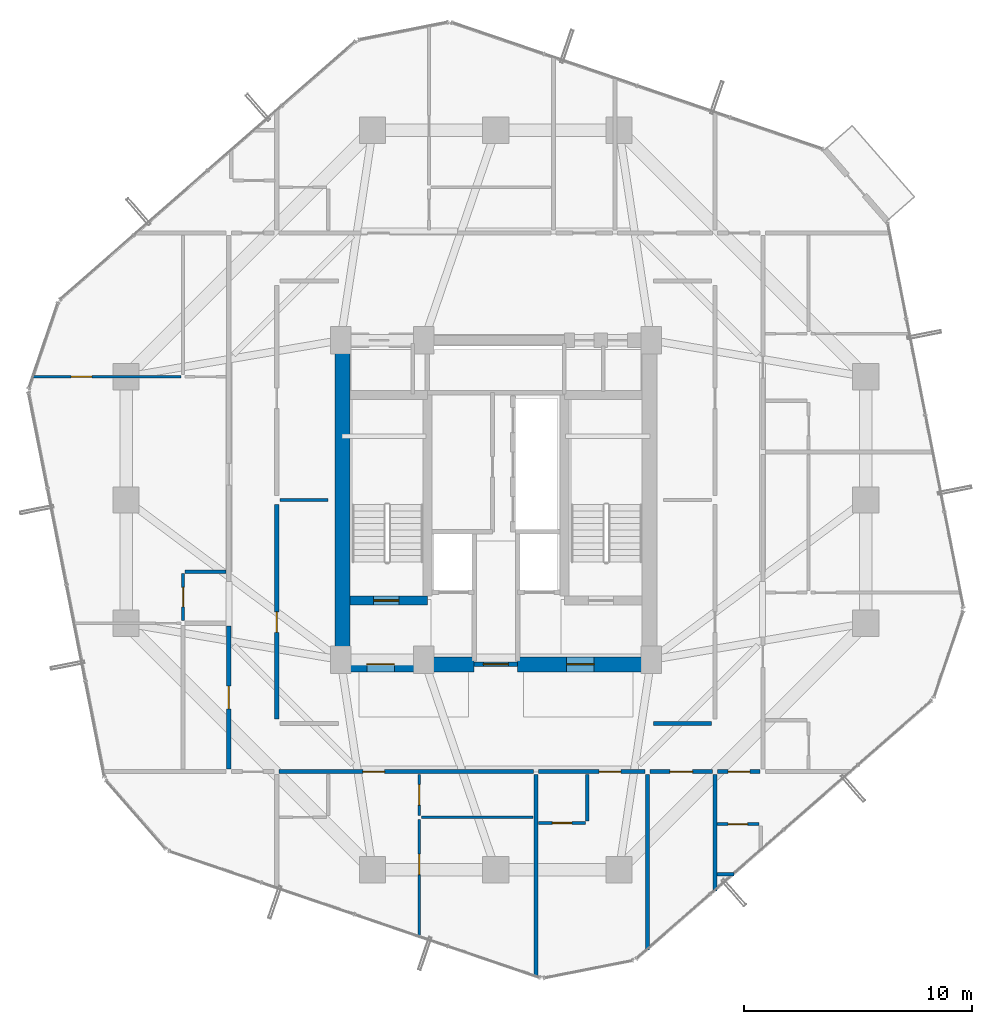
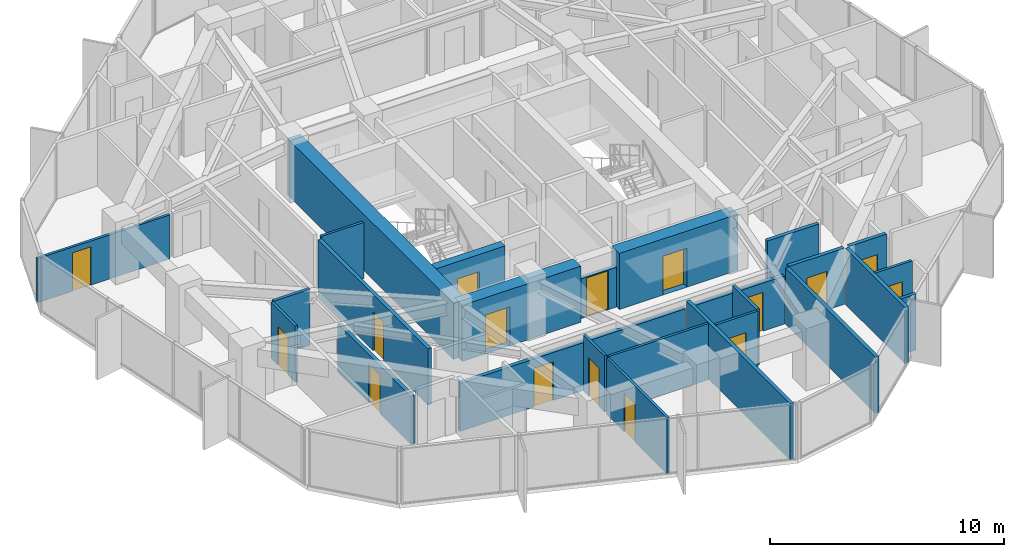
# One storey, part 31 of 36: 26 walls, 16 doors, 16 openings.
"""IFC4 building model written with IfcOpenShell, lengths in metres."""

from ifc_helpers import new_model, si_unit, direction, frame, frame_2d, origin, place, context, subcontext, project, spatial, rectangle, extrude, source, transform, mapped, material, layer, layer_set, type_object, element, fill, save


model = new_model("IFC4")

# Units and contexts
model_context = context("Model", 3, precision=1e-05, world=origin(), true_north=direction((0.0, 1.0)))
body_context = subcontext(model_context, "Body", "Model", "MODEL_VIEW")
ifc_project = project(units=[si_unit("LENGTHUNIT", "METRE"), si_unit("AREAUNIT", "SQUARE_METRE"), si_unit("VOLUMEUNIT", "CUBIC_METRE"), si_unit("PLANEANGLEUNIT", "RADIAN"), si_unit("MASSUNIT", "GRAM", prefix="KILO")], contexts=[model_context])

# Site, building, storey
site_placement = place(None, origin())
site = spatial("IfcSite", under=ifc_project, at=site_placement, CompositionType="ELEMENT")
building_placement = place(site_placement, origin())
building = spatial("IfcBuilding", under=site, at=building_placement, Name="Veraguas Prism Commons", CompositionType="ELEMENT")
storey_placement = place(building_placement, frame((0.0, 0.0, 166.300048828125)))
storey = spatial("IfcBuildingStorey", under=building, at=storey_placement, Name="L47", CompositionType="ELEMENT", Elevation=166.300048828125)

# Wall, opening, door
ifc_material_1 = material(Name="Concrete C50/60", Category="concrete")
ifc_layer_1 = layer(ifc_material_1, 0.39990234375, Name="Clinic and Mid Core Shear Wall RC 400", Category="concrete")
ifc_layer_set_1 = layer_set([ifc_layer_1], Name="Concrete C50/60")
wall_type_1 = type_object("IfcWallType", Name="Clinic and Mid Core Shear Wall RC 400", PredefinedType="SHEAR", material=ifc_layer_set_1)
wall_1_placement = place(storey_placement, frame((17.60009765625, 19.60009765625, 0.0), z_axis=(0.0, 0.0, 1.0), x_axis=(1.0, 0.0, 0.0)))
wall_1 = element("IfcWall", 1, at=wall_1_placement, inside=storey, type_object=wall_type_1, Name="Stair ST-01 South Shear Wall L47", PredefinedType="SHEAR", context=body_context, shape_type="SweptSolid", body=[
    extrude(rectangle(XDim=3.39990234375, YDim=0.39990234375, at=frame_2d((1.699951171875, 0.0))), origin(), (0.0, 0.0, 1.0), 2.929931640625),
])
opening_1_placement = place(wall_1_placement, frame((1.050048828125, 0.0, 0.0)))
opening_1 = element("IfcOpeningElement", 2, at=opening_1_placement, cuts=wall_1, Name="Opening DR-05", PredefinedType="OPENING", context=body_context, shape_type="SweptSolid", body=[
    extrude(rectangle(XDim=1.10009765625, YDim=2.030029296875, at=frame_2d((0.550048828125, 1.01513671875))), frame((0.0, 0.2099609375, 0.0), z_axis=(0.0, -1.0, 0.0), x_axis=(1.0, 0.0, 0.0)), (0.0, 0.0, 1.0), 0.419921875),
])
ifc_material_2 = material(Name="Steel fire-rated door assembly", Category="steel")
door_type_1 = type_object("IfcDoorType", Name="Protected Stair and Refuge Fire Door 1100x2030", OperationType="NOTDEFINED", PredefinedType="DOOR", material=ifc_material_2)
shared_shape_1 = source(origin(), body_context, "Body", "SweptSolid", [
    extrude(rectangle(XDim=1.10009765625, YDim=2.030029296875, at=frame_2d((0.550048828125, 1.01513671875))), frame((0.0, 0.02490234375, 0.0), z_axis=(0.0, -1.0, 0.0), x_axis=(1.0, 0.0, 0.0)), (0.0, 0.0, 1.0), 0.050048828125),
])
door_1_placement = place(opening_1_placement, origin())
door_1 = element("IfcDoor", 3, at=door_1_placement, inside=storey, type_object=door_type_1, Name="Stair ST-01 Enclosure Door L47", OperationType="SINGLE_SWING_RIGHT", OverallHeight=2.030029296875, OverallWidth=1.10009765625, PredefinedType="DOOR", context=body_context, shape_type="MappedRepresentation", body=[
    mapped(shared_shape_1, transform((0.0, 0.0, 0.0), scale=1.0)),
])
fill(opening_1, door_1)

# Wall
ifc_material_3 = material(Name="Concrete C55/67", Category="concrete")
ifc_layer_2 = layer(ifc_material_3, 0.64990234375, Name="Core Outer Shear Wall Mid RC 650", Category="concrete")
ifc_layer_set_2 = layer_set([ifc_layer_2], Name="Concrete C55/67")
wall_type_2 = type_object("IfcWallType", Name="Core Outer Shear Wall Mid RC 650", PredefinedType="SHEAR", material=ifc_layer_set_2)
wall_2_placement = place(storey_placement, frame((17.27490234375, 16.800048828125, 0.0), z_axis=(0.0, 0.0, 1.0), x_axis=(0.0, 1.0, 0.0)))
element("IfcWall", 4, at=wall_2_placement, inside=storey, type_object=wall_type_2, Name="Central Core West Shear Wall L47", PredefinedType="SHEAR", context=body_context, shape_type="SweptSolid", body=[
    extrude(rectangle(XDim=14.199951171875, YDim=0.64990234375, at=frame_2d((7.10009765625, 0.0))), origin(), (0.0, 0.0, 1.0), 2.929931640625),
])

# Wall, opening, door
wall_3_placement = place(storey_placement, frame((17.199951171875, 16.800048828125, 0.0), z_axis=(0.0, 0.0, 1.0), x_axis=(1.0, 0.0, 0.0)))
wall_3 = element("IfcWall", 5, at=wall_3_placement, inside=storey, type_object=wall_type_2, Name="Central Core South-West Shear Wall L47", PredefinedType="SHEAR", context=body_context, shape_type="SweptSolid", body=[
    extrude(rectangle(XDim=5.85009765625, YDim=0.64990234375, at=frame_2d((2.925048828125, 0.0))), origin(), (0.0, 0.0, 1.0), 2.929931640625),
])
opening_2_placement = place(wall_3_placement, frame((1.14990234375, 0.0, 0.0)))
opening_2 = element("IfcOpeningElement", 6, at=opening_2_placement, cuts=wall_3, Name="Opening DR-06", PredefinedType="OPENING", context=body_context, shape_type="SweptSolid", body=[
    extrude(rectangle(XDim=1.199951171875, YDim=2.030029296875, at=frame_2d((0.60009765625, 1.01513671875))), frame((0.0, 0.3349609375, 0.0), z_axis=(0.0, -1.0, 0.0), x_axis=(1.0, 0.0, 0.0)), (0.0, 0.0, 1.0), 0.669921875),
])
door_type_2 = type_object("IfcDoorType", Name="Firefighting Lobby Smoke Door 1200x2030", OperationType="NOTDEFINED", PredefinedType="DOOR", material=ifc_material_2)
shared_shape_2 = source(origin(), body_context, "Body", "SweptSolid", [
    extrude(rectangle(XDim=1.199951171875, YDim=2.030029296875, at=frame_2d((0.60009765625, 1.01513671875))), frame((0.0, 0.02490234375, 0.0), z_axis=(0.0, -1.0, 0.0), x_axis=(1.0, 0.0, 0.0)), (0.0, 0.0, 1.0), 0.050048828125),
])
door_2_placement = place(opening_2_placement, origin())
door_2 = element("IfcDoor", 7, at=door_2_placement, inside=storey, type_object=door_type_2, Name="West FF Lobby Door L47", OperationType="SINGLE_SWING_RIGHT", OverallHeight=2.030029296875, OverallWidth=1.199951171875, PredefinedType="DOOR", context=body_context, shape_type="MappedRepresentation", body=[
    mapped(shared_shape_2, transform((0.0, 0.0, 0.0), scale=1.0)),
])
fill(opening_2, door_2)

wall_4_placement = place(storey_placement, frame((24.949951171875, 16.800048828125, 0.0), z_axis=(0.0, 0.0, 1.0), x_axis=(1.0, 0.0, 0.0)))
wall_4 = element("IfcWall", 8, at=wall_4_placement, inside=storey, type_object=wall_type_2, Name="Central Core South-East Shear Wall L47", PredefinedType="SHEAR", context=body_context, shape_type="SweptSolid", body=[
    extrude(rectangle(XDim=5.85009765625, YDim=0.64990234375, at=frame_2d((2.925048828125, 0.0))), origin(), (0.0, 0.0, 1.0), 2.929931640625),
])
opening_3_placement = place(wall_4_placement, frame((2.14990234375, 0.0, 0.0)))
opening_3 = element("IfcOpeningElement", 9, at=opening_3_placement, cuts=wall_4, Name="Opening DR-06", PredefinedType="OPENING", context=body_context, shape_type="SweptSolid", body=[
    extrude(rectangle(XDim=1.199951171875, YDim=2.030029296875, at=frame_2d((0.60009765625, 1.01513671875))), frame((0.0, 0.3349609375, 0.0), z_axis=(0.0, -1.0, 0.0), x_axis=(1.0, 0.0, 0.0)), (0.0, 0.0, 1.0), 0.669921875),
])
door_3_placement = place(opening_3_placement, origin())
door_3 = element("IfcDoor", 10, at=door_3_placement, inside=storey, type_object=door_type_2, Name="East FF Lobby Door L47", OperationType="SINGLE_SWING_RIGHT", OverallHeight=2.030029296875, OverallWidth=1.199951171875, PredefinedType="DOOR", context=body_context, shape_type="MappedRepresentation", body=[
    mapped(shared_shape_2, transform((0.0, 0.0, 0.0), scale=1.0)),
])
fill(opening_3, door_3)

ifc_material_4 = material(Name="Autoclaved aerated masonry block 10 MPa", Category="masonry")
ifc_layer_3 = layer(ifc_material_4, 0.179931640625, Name="Corridor and Inter-Tenancy Partition 180", Category="masonry")
ifc_layer_set_3 = layer_set([ifc_layer_3], Name="Autoclaved aerated masonry block 10 MPa")
wall_type_3 = type_object("IfcWallType", Name="Corridor and Inter-Tenancy Partition 180", PredefinedType="PARTITIONING", material=ifc_layer_set_3)
wall_5_placement = place(storey_placement, frame((14.39990234375, 14.39990234375, 0.0), z_axis=(0.0, 0.0, 1.0), x_axis=(0.0, 1.0, 0.0)))
wall_5 = element("IfcWall", 11, at=wall_5_placement, inside=storey, type_object=wall_type_3, Name="WL-L47-IRW1", PredefinedType="PARTITIONING", context=body_context, shape_type="SweptSolid", body=[
    extrude(rectangle(XDim=9.400146484375, YDim=0.179931640625, at=frame_2d((4.7001953125, 0.0))), origin(), (0.0, 0.0, 1.0), 2.929931640625),
])
opening_4_placement = place(wall_5_placement, frame((3.800048828125, 0.0, 0.0)))
opening_4 = element("IfcOpeningElement", 12, at=opening_4_placement, cuts=wall_5, Name="Opening DR-14", PredefinedType="OPENING", context=body_context, shape_type="SweptSolid", body=[
    extrude(rectangle(XDim=0.89990234375, YDim=2.010009765625, at=frame_2d((0.449951171875, 1.0048828125))), frame((0.0, 0.099853515625, 0.0), z_axis=(0.0, -1.0, 0.0), x_axis=(1.0, 0.0, 0.0)), (0.0, 0.0, 1.0), 0.199951171875),
])
door_type_3 = type_object("IfcDoorType", Name="Core Service Room Fire Door 900x2010", OperationType="NOTDEFINED", PredefinedType="DOOR", material=ifc_material_2)
shared_shape_3 = source(origin(), body_context, "Body", "SweptSolid", [
    extrude(rectangle(XDim=0.89990234375, YDim=2.010009765625, at=frame_2d((0.449951171875, 1.0048828125))), frame((0.0, 0.02490234375, 0.0), z_axis=(0.0, -1.0, 0.0), x_axis=(1.0, 0.0, 0.0)), (0.0, 0.0, 1.0), 0.050048828125),
])
door_4_placement = place(opening_4_placement, origin())
door_4 = element("IfcDoor", 13, at=door_4_placement, inside=storey, type_object=door_type_3, Name="Residents Quiet Study Pod Door L47", OperationType="SINGLE_SWING_LEFT", OverallHeight=2.010009765625, OverallWidth=0.89990234375, PredefinedType="DOOR", context=body_context, shape_type="MappedRepresentation", body=[
    mapped(shared_shape_3, transform((0.0, 0.0, 0.0), scale=1.0)),
])
fill(opening_4, door_4)

# Walls
wall_6_placement = place(storey_placement, frame((30.89990234375, 14.199951171875, 0.0), z_axis=(0.0, 0.0, 1.0), x_axis=(1.0, 0.0, 0.0)))
element("IfcWall", 14, at=wall_6_placement, inside=storey, type_object=wall_type_3, Name="WL-L47-IRES", PredefinedType="PARTITIONING", context=body_context, shape_type="SweptSolid", body=[
    extrude(rectangle(XDim=2.550048828125, YDim=0.179931640625, at=frame_2d((1.27490234375, 0.0))), origin(), (0.0, 0.0, 1.0), 2.929931640625),
])
wall_7_placement = place(storey_placement, frame((33.60009765625, 11.97998046875, 0.0), z_axis=(0.0, 0.0, 1.0), x_axis=(0.0, -1.0, 0.0)))
element("IfcWall", 15, at=wall_7_placement, inside=storey, type_object=wall_type_3, Name="WL-L47-PT002", PredefinedType="PARTITIONING", context=body_context, shape_type="SweptSolid", body=[
    extrude(rectangle(XDim=5.1064453125, YDim=0.179931640625, at=frame_2d((2.55322265625, 0.0))), origin(), (0.0, 0.0, 1.0), 2.929931640625),
])

# Wall, opening, door
wall_8_placement = place(storey_placement, frame((14.510009765625, 12.10009765625, 0.0), z_axis=(0.0, 0.0, 1.0), x_axis=(1.0, 0.0, 0.0)))
wall_8 = element("IfcWall", 16, at=wall_8_placement, inside=storey, type_object=wall_type_3, Name="WL-L47-PT003", PredefinedType="PARTITIONING", context=body_context, shape_type="SweptSolid", body=[
    extrude(rectangle(XDim=11.135986328125, YDim=0.179931640625, at=frame_2d((5.56787109375, 0.0))), origin(), (0.0, 0.0, 1.0), 2.510009765625),
])
opening_5_placement = place(wall_8_placement, frame((3.6630859375, 0.0, 0.0)))
opening_5 = element("IfcOpeningElement", 17, at=opening_5_placement, cuts=wall_8, Name="Opening DR-01", PredefinedType="OPENING", context=body_context, shape_type="SweptSolid", body=[
    extrude(rectangle(XDim=0.949951171875, YDim=2.02001953125, at=frame_2d((0.47509765625, 1.010009765625))), frame((0.0, 0.099853515625, 0.0), z_axis=(0.0, -1.0, 0.0), x_axis=(1.0, 0.0, 0.0)), (0.0, 0.0, 1.0), 0.199951171875),
])
ifc_material_5 = material(Name="Anodised aluminium EN AW-6063 T6", Category="aluminium")
door_type_4 = type_object("IfcDoorType", Name="Apartment Entrance Fire Door 950x2020", OperationType="NOTDEFINED", PredefinedType="DOOR", material=ifc_material_5)
shared_shape_4 = source(origin(), body_context, "Body", "SweptSolid", [
    extrude(rectangle(XDim=0.949951171875, YDim=2.02001953125, at=frame_2d((0.47509765625, 1.010009765625))), frame((0.0, 0.02490234375, 0.0), z_axis=(0.0, -1.0, 0.0), x_axis=(1.0, 0.0, 0.0)), (0.0, 0.0, 1.0), 0.050048828125),
])
door_5_placement = place(opening_5_placement, origin())
door_5 = element("IfcDoor", 18, at=door_5_placement, inside=storey, type_object=door_type_4, Name="Flat 47A Entrance Door", OperationType="SINGLE_SWING_LEFT", OverallHeight=2.02001953125, OverallWidth=0.949951171875, PredefinedType="DOOR", context=body_context, shape_type="MappedRepresentation", body=[
    mapped(shared_shape_4, transform((0.0, 0.0, 0.0), scale=1.0)),
])
fill(opening_5, door_5)

# Wall
wall_9_placement = place(storey_placement, frame((25.756103515625, 11.97998046875, 0.0), z_axis=(0.0, 0.0, 1.0), x_axis=(0.0, -1.0, 0.0)))
element("IfcWall", 19, at=wall_9_placement, inside=storey, type_object=wall_type_3, Name="WL-L47-PT009", PredefinedType="PARTITIONING", context=body_context, shape_type="SweptSolid", body=[
    extrude(rectangle(XDim=8.879150390625, YDim=0.179931640625, at=frame_2d((4.439453125, 0.0))), origin(), (0.0, 0.0, 1.0), 2.929931640625),
])

# Wall, opening, door
wall_10_placement = place(storey_placement, frame((30.760009765625, 12.10009765625, 0.0), z_axis=(0.0, 0.0, 1.0), x_axis=(1.0, 0.0, 0.0)))
wall_10 = element("IfcWall", 20, at=wall_10_placement, inside=storey, type_object=wall_type_3, Name="WL-L47-PT010", PredefinedType="PARTITIONING", context=body_context, shape_type="SweptSolid", body=[
    extrude(rectangle(XDim=2.72998046875, YDim=0.179931640625, at=frame_2d((1.364990234375, 0.0))), origin(), (0.0, 0.0, 1.0), 2.929931640625),
])
opening_6_placement = place(wall_10_placement, frame((0.864990234375, 0.0, 0.0)))
opening_6 = element("IfcOpeningElement", 21, at=opening_6_placement, cuts=wall_10, Name="Opening DR-13", PredefinedType="OPENING", context=body_context, shape_type="SweptSolid", body=[
    extrude(rectangle(XDim=1.0, YDim=2.010009765625, at=frame_2d((0.5, 1.0048828125))), frame((0.0, 0.099853515625, 0.0), z_axis=(0.0, -1.0, 0.0), x_axis=(1.0, 0.0, 0.0)), (0.0, 0.0, 1.0), 0.199951171875),
])
door_type_5 = type_object("IfcDoorType", Name="Core Accessible WC and Clinic Fire Door 1000x2010", OperationType="NOTDEFINED", PredefinedType="DOOR", material=ifc_material_2)
shared_shape_5 = source(origin(), body_context, "Body", "SweptSolid", [
    extrude(rectangle(XDim=1.0, YDim=2.010009765625, at=frame_2d((0.5, 1.0048828125))), frame((0.0, 0.02490234375, 0.0), z_axis=(0.0, -1.0, 0.0), x_axis=(1.0, 0.0, 0.0)), (0.0, 0.0, 1.0), 0.050048828125),
])
door_6_placement = place(opening_6_placement, origin())
door_6 = element("IfcDoor", 22, at=door_6_placement, inside=storey, type_object=door_type_5, Name="Quiet Study S Door", OperationType="SINGLE_SWING_LEFT", OverallHeight=2.010009765625, OverallWidth=1.0, PredefinedType="DOOR", context=body_context, shape_type="MappedRepresentation", body=[
    mapped(shared_shape_5, transform((0.0, 0.0, 0.0), scale=1.0)),
])
fill(opening_6, door_6)

# Wall
wall_11_placement = place(storey_placement, frame((30.64990234375, 11.97998046875, 0.0), z_axis=(0.0, 0.0, 1.0), x_axis=(0.0, -1.0, 0.0)))
element("IfcWall", 23, at=wall_11_placement, inside=storey, type_object=wall_type_3, Name="WL-L47-PT011", PredefinedType="PARTITIONING", context=body_context, shape_type="SweptSolid", body=[
    extrude(rectangle(XDim=7.685302734375, YDim=0.179931640625, at=frame_2d((3.8427734375, 0.0))), origin(), (0.0, 0.0, 1.0), 2.929931640625),
])

# Wall, opening, door
wall_12_placement = place(storey_placement, frame((25.865966796875, 12.10009765625, 0.0), z_axis=(0.0, 0.0, 1.0), x_axis=(1.0, 0.0, 0.0)))
wall_12 = element("IfcWall", 24, at=wall_12_placement, inside=storey, type_object=wall_type_3, Name="WL-L47-PT012", PredefinedType="PARTITIONING", context=body_context, shape_type="SweptSolid", body=[
    extrude(rectangle(XDim=4.674072265625, YDim=0.179931640625, at=frame_2d((2.3369140625, 0.0))), origin(), (0.0, 0.0, 1.0), 2.510009765625),
])
opening_7_placement = place(wall_12_placement, frame((2.659912109375, 0.0, 0.0)))
opening_7 = element("IfcOpeningElement", 25, at=opening_7_placement, cuts=wall_12, Name="Opening DR-01", PredefinedType="OPENING", context=body_context, shape_type="SweptSolid", body=[
    extrude(rectangle(XDim=0.949951171875, YDim=2.02001953125, at=frame_2d((0.47509765625, 1.010009765625))), frame((0.0, 0.099853515625, 0.0), z_axis=(0.0, -1.0, 0.0), x_axis=(1.0, 0.0, 0.0)), (0.0, 0.0, 1.0), 0.199951171875),
])
door_7_placement = place(opening_7_placement, origin())
door_7 = element("IfcDoor", 26, at=door_7_placement, inside=storey, type_object=door_type_4, Name="Studio 47B Entrance Door", OperationType="SINGLE_SWING_RIGHT", OverallHeight=2.02001953125, OverallWidth=0.949951171875, PredefinedType="DOOR", context=body_context, shape_type="MappedRepresentation", body=[
    mapped(shared_shape_4, transform((0.0, 0.0, 0.0), scale=1.0)),
])
fill(opening_7, door_7)

wall_13_placement = place(storey_placement, frame((12.300048828125, 12.2099609375, 0.0), z_axis=(0.0, 0.0, 1.0), x_axis=(0.0, 1.0, 0.0)))
wall_13 = element("IfcWall", 27, at=wall_13_placement, inside=storey, type_object=wall_type_3, Name="WL-L47-PT029", PredefinedType="PARTITIONING", context=body_context, shape_type="SweptSolid", body=[
    extrude(rectangle(XDim=6.280029296875, YDim=0.179931640625, at=frame_2d((3.14013671875, 0.0))), origin(), (0.0, 0.0, 1.0), 2.510009765625),
])
opening_8_placement = place(wall_13_placement, frame((2.639892578125, 0.0, 0.0)))
opening_8 = element("IfcOpeningElement", 28, at=opening_8_placement, cuts=wall_13, Name="Opening DR-13", PredefinedType="OPENING", context=body_context, shape_type="SweptSolid", body=[
    extrude(rectangle(XDim=1.0, YDim=2.010009765625, at=frame_2d((0.5, 1.0048828125))), frame((0.0, 0.099853515625, 0.0), z_axis=(0.0, -1.0, 0.0), x_axis=(1.0, 0.0, 0.0)), (0.0, 0.0, 1.0), 0.199951171875),
])
door_8_placement = place(opening_8_placement, origin())
door_8 = element("IfcDoor", 29, at=door_8_placement, inside=storey, type_object=door_type_5, Name="Residents Study Alcove 47D Door", OperationType="SINGLE_SWING_RIGHT", OverallHeight=2.010009765625, OverallWidth=1.0, PredefinedType="DOOR", context=body_context, shape_type="MappedRepresentation", body=[
    mapped(shared_shape_5, transform((0.0, 0.0, 0.0), scale=1.0)),
])
fill(opening_8, door_8)

wall_14_placement = place(storey_placement, frame((33.719970703125, 12.10009765625, 0.0), z_axis=(0.0, 0.0, 1.0), x_axis=(1.0, 0.0, 0.0)))
wall_14 = element("IfcWall", 30, at=wall_14_placement, inside=storey, type_object=wall_type_3, Name="WL-L47-PT055", PredefinedType="PARTITIONING", context=body_context, shape_type="SweptSolid", body=[
    extrude(rectangle(XDim=1.860107421875, YDim=0.179931640625, at=frame_2d((0.93017578125, 0.0))), origin(), (0.0, 0.0, 1.0), 2.929931640625),
])
opening_9_placement = place(wall_14_placement, frame((0.455078125, 0.0, 0.0)))
opening_9 = element("IfcOpeningElement", 31, at=opening_9_placement, cuts=wall_14, Name="Opening DR-01", PredefinedType="OPENING", context=body_context, shape_type="SweptSolid", body=[
    extrude(rectangle(XDim=0.949951171875, YDim=2.02001953125, at=frame_2d((0.47509765625, 1.010009765625))), frame((0.0, 0.099853515625, 0.0), z_axis=(0.0, -1.0, 0.0), x_axis=(1.0, 0.0, 0.0)), (0.0, 0.0, 1.0), 0.199951171875),
])
door_9_placement = place(opening_9_placement, origin())
door_9 = element("IfcDoor", 32, at=door_9_placement, inside=storey, type_object=door_type_4, Name="Studio 47G Entrance Door", OperationType="SINGLE_SWING_LEFT", OverallHeight=2.02001953125, OverallWidth=0.949951171875, PredefinedType="DOOR", context=body_context, shape_type="MappedRepresentation", body=[
    mapped(shared_shape_4, transform((0.0, 0.0, 0.0), scale=1.0)),
])
fill(opening_9, door_9)

# Wall
ifc_material_6 = material(Name="Lightweight acoustic gypsum board")
ifc_layer_4 = layer(ifc_material_6, 0.125, Name="Internal Apartment Room Partition 125")
ifc_layer_set_4 = layer_set([ifc_layer_4], Name="Lightweight acoustic gypsum board")
wall_type_4 = type_object("IfcWallType", Name="Internal Apartment Room Partition 125", PredefinedType="PARTITIONING", material=ifc_layer_set_4)
wall_15_placement = place(storey_placement, frame((14.550048828125, 24.0, 0.0), z_axis=(0.0, 0.0, 1.0), x_axis=(1.0, 0.0, 0.0)))
element("IfcWall", 33, at=wall_15_placement, inside=storey, type_object=wall_type_4, Name="WL-L47-IRWM", PredefinedType="PARTITIONING", context=body_context, shape_type="SweptSolid", body=[
    extrude(rectangle(XDim=2.099853515625, YDim=0.125, at=frame_2d((1.0498046875, 0.0))), origin(), (0.0, 0.0, 1.0), 2.929931640625),
])

# Wall, opening, door
wall_16_placement = place(storey_placement, frame((20.64599609375, 11.97998046875, 0.0), z_axis=(0.0, 0.0, 1.0), x_axis=(0.0, -1.0, 0.0)))
wall_16 = element("IfcWall", 34, at=wall_16_placement, inside=storey, type_object=wall_type_4, Name="WL-L47-PT006", PredefinedType="PARTITIONING", context=body_context, shape_type="SweptSolid", body=[
    extrude(rectangle(XDim=1.800048828125, YDim=0.125, at=frame_2d((0.89990234375, 0.0))), origin(), (0.0, 0.0, 1.0), 2.929931640625),
])
opening_10_placement = place(wall_16_placement, frame((0.449951171875, 0.0, 0.0)))
opening_10 = element("IfcOpeningElement", 35, at=opening_10_placement, cuts=wall_16, Name="Opening DR-02", PredefinedType="OPENING", context=body_context, shape_type="SweptSolid", body=[
    extrude(rectangle(XDim=0.89990234375, YDim=2.010009765625, at=frame_2d((0.449951171875, 1.0048828125))), frame((0.0, 0.072509765625, 0.0), z_axis=(0.0, -1.0, 0.0), x_axis=(1.0, 0.0, 0.0)), (0.0, 0.0, 1.0), 0.14501953125),
])
ifc_material_7 = material(Name="Timber solid core hardwood", Category="wood")
door_type_6 = type_object("IfcDoorType", Name="Internal Habitable Room Door 900x2010", OperationType="NOTDEFINED", PredefinedType="DOOR", material=ifc_material_7)
door_10_placement = place(opening_10_placement, origin())
door_10 = element("IfcDoor", 36, at=door_10_placement, inside=storey, type_object=door_type_6, Name="Flat 47A Kitchen Door", OperationType="SINGLE_SWING_LEFT", OverallHeight=2.010009765625, OverallWidth=0.89990234375, PredefinedType="DOOR", context=body_context, shape_type="MappedRepresentation", body=[
    mapped(shared_shape_3, transform((0.0, 0.0, 0.0), scale=1.0)),
])
fill(opening_10, door_10)

# Wall
wall_17_placement = place(storey_placement, frame((20.74609375, 10.10009765625, 0.0), z_axis=(0.0, 0.0, 1.0), x_axis=(1.0, 0.0, 0.0)))
element("IfcWall", 37, at=wall_17_placement, inside=storey, type_object=wall_type_4, Name="WL-L47-PT007", PredefinedType="PARTITIONING", context=body_context, shape_type="SweptSolid", body=[
    extrude(rectangle(XDim=4.889892578125, YDim=0.125, at=frame_2d((2.44482421875, 0.0))), origin(), (0.0, 0.0, 1.0), 2.929931640625),
])

# Wall, opening, door
wall_18_placement = place(storey_placement, frame((20.64599609375, 10.0, 0.0), z_axis=(0.0, 0.0, 1.0), x_axis=(0.0, -1.0, 0.0)))
wall_18 = element("IfcWall", 38, at=wall_18_placement, inside=storey, type_object=wall_type_4, Name="WL-L47-PT008", PredefinedType="PARTITIONING", context=body_context, shape_type="SweptSolid", body=[
    extrude(rectangle(XDim=5.155517578125, YDim=0.125, at=frame_2d((2.57763671875, 0.0))), origin(), (0.0, 0.0, 1.0), 2.929931640625),
])
opening_11_placement = place(wall_18_placement, frame((1.510986328125, 0.0, 0.0)))
opening_11 = element("IfcOpeningElement", 39, at=opening_11_placement, cuts=wall_18, Name="Opening DR-02", PredefinedType="OPENING", context=body_context, shape_type="SweptSolid", body=[
    extrude(rectangle(XDim=0.89990234375, YDim=2.010009765625, at=frame_2d((0.449951171875, 1.0048828125))), frame((0.0, 0.072509765625, 0.0), z_axis=(0.0, -1.0, 0.0), x_axis=(1.0, 0.0, 0.0)), (0.0, 0.0, 1.0), 0.14501953125),
])
door_11_placement = place(opening_11_placement, origin())
door_11 = element("IfcDoor", 40, at=door_11_placement, inside=storey, type_object=door_type_6, Name="Flat 47A Bedroom 1 Door", OperationType="SINGLE_SWING_RIGHT", OverallHeight=2.010009765625, OverallWidth=0.89990234375, PredefinedType="DOOR", context=body_context, shape_type="MappedRepresentation", body=[
    mapped(shared_shape_3, transform((0.0, 0.0, 0.0), scale=1.0)),
])
fill(opening_11, door_11)

wall_19_placement = place(storey_placement, frame((25.8759765625, 9.85009765625, 0.0), z_axis=(0.0, 0.0, 1.0), x_axis=(1.0, 0.0, 0.0)))
wall_19 = element("IfcWall", 41, at=wall_19_placement, inside=storey, type_object=wall_type_4, Name="WL-L47-PT014", PredefinedType="PARTITIONING", context=body_context, shape_type="SweptSolid", body=[
    extrude(rectangle(XDim=2.051025390625, YDim=0.125, at=frame_2d((1.025390625, 0.0))), origin(), (0.0, 0.0, 1.0), 2.929931640625),
])
opening_12_placement = place(wall_19_placement, frame((0.595458984375, 0.0, 0.0)))
opening_12 = element("IfcOpeningElement", 42, at=opening_12_placement, cuts=wall_19, Name="Opening DR-03", PredefinedType="OPENING", context=body_context, shape_type="SweptSolid", body=[
    extrude(rectangle(XDim=0.860107421875, YDim=2.010009765625, at=frame_2d((0.43017578125, 1.0048828125))), frame((0.0, 0.072509765625, 0.0), z_axis=(0.0, -1.0, 0.0), x_axis=(1.0, 0.0, 0.0)), (0.0, 0.0, 1.0), 0.14501953125),
])
ifc_material_8 = material(Name="Timber moisture-resistant leaf", Category="wood")
door_type_7 = type_object("IfcDoorType", Name="Internal Bathroom Door 860x2010", OperationType="NOTDEFINED", PredefinedType="DOOR", material=ifc_material_8)
shared_shape_6 = source(origin(), body_context, "Body", "SweptSolid", [
    extrude(rectangle(XDim=0.860107421875, YDim=2.010009765625, at=frame_2d((0.43017578125, 1.0048828125))), frame((0.0, 0.02490234375, 0.0), z_axis=(0.0, -1.0, 0.0), x_axis=(1.0, 0.0, 0.0)), (0.0, 0.0, 1.0), 0.050048828125),
])
door_12_placement = place(opening_12_placement, origin())
door_12 = element("IfcDoor", 43, at=door_12_placement, inside=storey, type_object=door_type_7, Name="Studio 47B Bathroom Door", OperationType="SINGLE_SWING_LEFT", OverallHeight=2.010009765625, OverallWidth=0.860107421875, PredefinedType="DOOR", context=body_context, shape_type="MappedRepresentation", body=[
    mapped(shared_shape_6, transform((0.0, 0.0, 0.0), scale=1.0)),
])
fill(opening_12, door_12)

wall_20_placement = place(storey_placement, frame((10.300048828125, 18.719970703125, 0.0), z_axis=(0.0, 0.0, 1.0), x_axis=(0.0, 1.0, 0.0)))
wall_20 = element("IfcWall", 44, at=wall_20_placement, inside=storey, type_object=wall_type_4, Name="WL-L47-PT035", PredefinedType="PARTITIONING", context=body_context, shape_type="SweptSolid", body=[
    extrude(rectangle(XDim=2.050048828125, YDim=0.125, at=frame_2d((1.02490234375, 0.0))), origin(), (0.0, 0.0, 1.0), 2.929931640625),
])
opening_13_placement = place(wall_20_placement, frame((0.594970703125, 0.0, 0.0)))
opening_13 = element("IfcOpeningElement", 45, at=opening_13_placement, cuts=wall_20, Name="Opening DR-03", PredefinedType="OPENING", context=body_context, shape_type="SweptSolid", body=[
    extrude(rectangle(XDim=0.860107421875, YDim=2.010009765625, at=frame_2d((0.43017578125, 1.0048828125))), frame((0.0, 0.072509765625, 0.0), z_axis=(0.0, -1.0, 0.0), x_axis=(1.0, 0.0, 0.0)), (0.0, 0.0, 1.0), 0.14501953125),
])
door_13_placement = place(opening_13_placement, origin())
door_13 = element("IfcDoor", 46, at=door_13_placement, inside=storey, type_object=door_type_7, Name="Flat 47D Bathroom Door", OperationType="SINGLE_SWING_LEFT", OverallHeight=2.010009765625, OverallWidth=0.860107421875, PredefinedType="DOOR", context=body_context, shape_type="MappedRepresentation", body=[
    mapped(shared_shape_6, transform((0.0, 0.0, 0.0), scale=1.0)),
])
fill(opening_13, door_13)

wall_21_placement = place(storey_placement, frame((10.199951171875, 29.39990234375, 0.0), z_axis=(0.0, 0.0, 1.0), x_axis=(-1.0, 0.0, 0.0)))
wall_21 = element("IfcWall", 47, at=wall_21_placement, inside=storey, type_object=wall_type_4, Name="WL-L47-PT038", PredefinedType="PARTITIONING", context=body_context, shape_type="SweptSolid", body=[
    extrude(rectangle(XDim=6.5263671875, YDim=0.125, at=frame_2d((3.26318359375, 0.0))), origin(), (0.0, 0.0, 1.0), 2.307861328125),
])
opening_14_placement = place(wall_21_placement, frame((3.902099609375, 0.0, 0.0)))
opening_14 = element("IfcOpeningElement", 48, at=opening_14_placement, cuts=wall_21, Name="Opening DR-02", PredefinedType="OPENING", context=body_context, shape_type="SweptSolid", body=[
    extrude(rectangle(XDim=0.89990234375, YDim=2.010009765625, at=frame_2d((0.449951171875, 1.0048828125))), frame((0.0, 0.072509765625, 0.0), z_axis=(0.0, -1.0, 0.0), x_axis=(1.0, 0.0, 0.0)), (0.0, 0.0, 1.0), 0.14501953125),
])
door_14_placement = place(opening_14_placement, origin())
door_14 = element("IfcDoor", 49, at=door_14_placement, inside=storey, type_object=door_type_6, Name="Flat 47D Bedroom 1 Door", OperationType="SINGLE_SWING_LEFT", OverallHeight=2.010009765625, OverallWidth=0.89990234375, PredefinedType="DOOR", context=body_context, shape_type="MappedRepresentation", body=[
    mapped(shared_shape_3, transform((0.0, 0.0, 0.0), scale=1.0)),
])
fill(opening_14, door_14)

wall_22_placement = place(storey_placement, frame((33.679931640625, 9.800048828125, 0.0), z_axis=(0.0, 0.0, 1.0), x_axis=(1.0, 0.0, 0.0)))
wall_22 = element("IfcWall", 50, at=wall_22_placement, inside=storey, type_object=wall_type_4, Name="WL-L47-PT056", PredefinedType="PARTITIONING", context=body_context, shape_type="SweptSolid", body=[
    extrude(rectangle(XDim=1.840087890625, YDim=0.125, at=frame_2d((0.919921875, 0.0))), origin(), (0.0, 0.0, 1.0), 2.929931640625),
])
opening_15_placement = place(wall_22_placement, frame((0.489990234375, 0.0, 0.0)))
opening_15 = element("IfcOpeningElement", 51, at=opening_15_placement, cuts=wall_22, Name="Opening DR-03", PredefinedType="OPENING", context=body_context, shape_type="SweptSolid", body=[
    extrude(rectangle(XDim=0.860107421875, YDim=2.010009765625, at=frame_2d((0.43017578125, 1.0048828125))), frame((0.0, 0.072509765625, 0.0), z_axis=(0.0, -1.0, 0.0), x_axis=(1.0, 0.0, 0.0)), (0.0, 0.0, 1.0), 0.14501953125),
])
door_15_placement = place(opening_15_placement, origin())
door_15 = element("IfcDoor", 52, at=door_15_placement, inside=storey, type_object=door_type_7, Name="Studio 47G Bathroom Door", OperationType="SINGLE_SWING_RIGHT", OverallHeight=2.010009765625, OverallWidth=0.860107421875, PredefinedType="DOOR", context=body_context, shape_type="MappedRepresentation", body=[
    mapped(shared_shape_6, transform((0.0, 0.0, 0.0), scale=1.0)),
])
fill(opening_15, door_15)

ifc_layer_5 = layer(ifc_material_4, 0.199951171875, Name="Rated Shaft and Lobby Block Wall 200", Category="masonry")
ifc_layer_set_5 = layer_set([ifc_layer_5], Name="Autoclaved aerated masonry block 10 MPa")
wall_type_5 = type_object("IfcWallType", Name="Rated Shaft and Lobby Block Wall 200", PredefinedType="SOLIDWALL", material=ifc_layer_set_5)
wall_23_placement = place(storey_placement, frame((23.050048828125, 16.800048828125, 0.0), z_axis=(0.0, 0.0, 1.0), x_axis=(1.0, 0.0, 0.0)))
wall_23 = element("IfcWall", 53, at=wall_23_placement, inside=storey, type_object=wall_type_5, Name="Central Core Lobby Entrance Wall L47", PredefinedType="SOLIDWALL", context=body_context, shape_type="SweptSolid", body=[
    extrude(rectangle(XDim=1.89990234375, YDim=0.199951171875, at=frame_2d((0.949951171875, 0.0))), origin(), (0.0, 0.0, 1.0), 2.079833984375),
])
opening_16_placement = place(wall_23_placement, frame((0.39990234375, 0.0, 0.0)))
opening_16 = element("IfcOpeningElement", 54, at=opening_16_placement, cuts=wall_23, Name="Opening DR-05", PredefinedType="OPENING", context=body_context, shape_type="SweptSolid", body=[
    extrude(rectangle(XDim=1.10009765625, YDim=2.030029296875, at=frame_2d((0.550048828125, 1.01513671875))), frame((0.0, 0.10986328125, 0.0), z_axis=(0.0, -1.0, 0.0), x_axis=(1.0, 0.0, 0.0)), (0.0, 0.0, 1.0), 0.219970703125),
])
door_16_placement = place(opening_16_placement, origin())
door_16 = element("IfcDoor", 55, at=door_16_placement, inside=storey, type_object=door_type_1, Name="Central Lobby Door L47", OperationType="SINGLE_SWING_LEFT", OverallHeight=2.030029296875, OverallWidth=1.10009765625, PredefinedType="DOOR", context=body_context, shape_type="MappedRepresentation", body=[
    mapped(shared_shape_1, transform((0.0, 0.0, 0.0), scale=1.0)),
])
fill(opening_16, door_16)

# Walls
ifc_layer_6 = layer(ifc_material_6, 0.14990234375, Name="Wet Room and Clinic Acoustic Partition 150")
ifc_layer_set_6 = layer_set([ifc_layer_6], Name="Lightweight acoustic gypsum board")
wall_type_6 = type_object("IfcWallType", Name="Wet Room and Clinic Acoustic Partition 150", PredefinedType="PARTITIONING", material=ifc_layer_set_6)
wall_24_placement = place(storey_placement, frame((28.007080078125, 11.97998046875, 0.0), z_axis=(0.0, 0.0, 1.0), x_axis=(0.0, -1.0, 0.0)))
element("IfcWall", 56, at=wall_24_placement, inside=storey, type_object=wall_type_6, Name="WL-L47-PT013", PredefinedType="PARTITIONING", context=body_context, shape_type="SweptSolid", body=[
    extrude(rectangle(XDim=2.050048828125, YDim=0.14990234375, at=frame_2d((1.02490234375, 0.0))), origin(), (0.0, 0.0, 1.0), 2.929931640625),
])
wall_25_placement = place(storey_placement, frame((12.179931640625, 20.85009765625, 0.0), z_axis=(0.0, 0.0, 1.0), x_axis=(-1.0, 0.0, 0.0)))
element("IfcWall", 57, at=wall_25_placement, inside=storey, type_object=wall_type_6, Name="WL-L47-PT034", PredefinedType="PARTITIONING", context=body_context, shape_type="SweptSolid", body=[
    extrude(rectangle(XDim=1.800048828125, YDim=0.14990234375, at=frame_2d((0.89990234375, 0.0))), origin(), (0.0, 0.0, 1.0), 2.929931640625),
])
wall_26_placement = place(storey_placement, frame((33.679931640625, 7.60009765625, 0.0), z_axis=(0.0, 0.0, 1.0), x_axis=(1.0, 0.0, 0.0)))
element("IfcWall", 58, at=wall_26_placement, inside=storey, type_object=wall_type_6, Name="WL-L47-PT057", PredefinedType="PARTITIONING", context=body_context, shape_type="SweptSolid", body=[
    extrude(rectangle(XDim=0.7509765625, YDim=0.14990234375, at=frame_2d((0.37548828125, 0.0))), origin(), (0.0, 0.0, 1.0), 2.929931640625),
])

save(model, "model.ifc")
